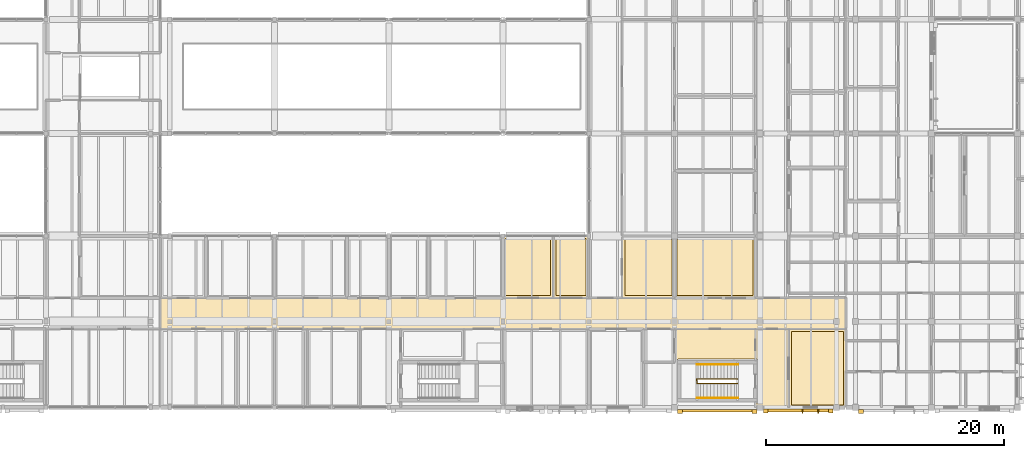
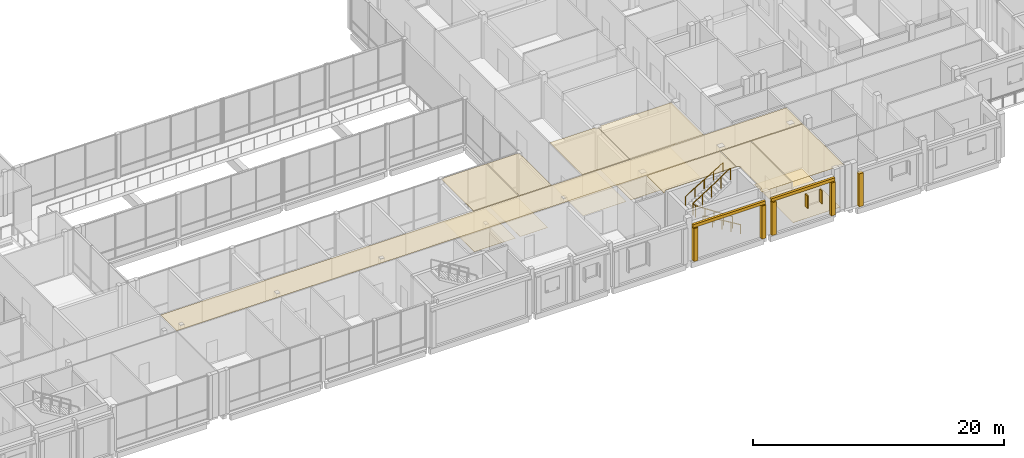
# One storey, part 139 of 146: 20 coverings, 3 railings, 2 shading devices.
"""IFC4 building model written with IfcOpenShell, lengths in metres."""

from ifc_helpers import new_model, si_unit, direction, frame, origin, origin_2d, place, context, subcontext, project, spatial, polyline, rectangle, circle, outline, extrude, material, layer, layer_set, type_object, element, save


model = new_model("IFC4")

# Units and contexts
model_context = context("Model", 3, precision=1e-05, world=origin(), true_north=direction((0.0, 1.0)))
body_context = subcontext(model_context, "Body", "Model", "MODEL_VIEW")
ifc_project = project(units=[si_unit("LENGTHUNIT", "METRE"), si_unit("AREAUNIT", "SQUARE_METRE"), si_unit("VOLUMEUNIT", "CUBIC_METRE"), si_unit("PLANEANGLEUNIT", "RADIAN"), si_unit("MASSUNIT", "GRAM", prefix="KILO")], contexts=[model_context])

# Site, building, storey
site_placement = place(None, origin())
site = spatial("IfcSite", under=ifc_project, at=site_placement, CompositionType="ELEMENT")
building_placement = place(site_placement, origin())
building = spatial("IfcBuilding", under=site, at=building_placement, Name="Hawrajan Terrace Health Centre", CompositionType="ELEMENT")
storey_placement = place(building_placement, frame((0.0, 0.0, 4.5)))
storey = spatial("IfcBuildingStorey", under=building, at=storey_placement, Name="L01", CompositionType="ELEMENT", Elevation=4.5)

# Coverings
ifc_material_1 = material(Name="Precast concrete C40/50", Category="concrete")
ifc_layer_1 = layer(ifc_material_1, 0.219970703125)
ifc_layer_set_1 = layer_set([ifc_layer_1], Name="Precast concrete C40/50")
covering_type_1 = type_object("IfcCoveringType", Name="ArtDecoCorniceBand", PredefinedType="CLADDING", material=ifc_layer_set_1)
covering_1_placement = place(storey_placement, frame((118.60009765625, 3.929931640625, 3.2099609375), z_axis=(0.0, 0.0, 1.0), x_axis=(1.0, 0.0, 0.0)))
element("IfcCovering", 1, at=covering_1_placement, inside=storey, type_object=covering_type_1, Name="Art Deco limestone cornice band CRN-L01-0084", PredefinedType="CLADDING", context=body_context, shape_type="SweptSolid", body=[
    extrude(rectangle(XDim=6.659912109375, YDim=0.219970703125, at=origin_2d()), origin(), (0.0, 0.0, 1.0), 0.300048828125),
])
covering_2_placement = place(storey_placement, frame((125.39990234375, 3.93994140625, 3.2099609375), z_axis=(0.0, 0.0, 1.0), x_axis=(1.0, 0.0, 0.0)))
element("IfcCovering", 2, at=covering_2_placement, inside=storey, type_object=covering_type_1, Name="Art Deco limestone cornice band CRN-L01-0088", PredefinedType="CLADDING", context=body_context, shape_type="SweptSolid", body=[
    extrude(rectangle(XDim=5.860107421875, YDim=0.219970703125, at=origin_2d()), origin(), (0.0, 0.0, 1.0), 0.300048828125),
])
ifc_layer_2 = layer(ifc_material_1, 0.340087890625)
ifc_layer_set_2 = layer_set([ifc_layer_2], Name="Precast concrete C40/50")
covering_type_2 = type_object("IfcCoveringType", Name="ArtDecoStonePilaster", PredefinedType="CLADDING", material=ifc_layer_set_2)
for number, where, z_axis, x_axis, name in (
    (3, (115.469970703125, 3.8701171875, 0.0), (0.0, 0.0, 1.0), (1.0, 0.0, 0.0), "Art Deco fluted limestone pilaster FPIL-L01-0146"),
    (4, (121.72998046875, 3.8701171875, 0.0), (0.0, 0.0, 1.0), (1.0, 0.0, 0.0), "Art Deco fluted limestone pilaster FPIL-L01-0147"),
    (5, (122.669921875, 3.8798828125, 0.0), (0.0, 0.0, 1.0), (1.0, 0.0, 0.0), "Art Deco fluted limestone pilaster FPIL-L01-0154"),
    (6, (128.1298828125, 3.8798828125, 0.0), (0.0, 0.0, 1.0), (1.0, 0.0, 0.0), "Art Deco fluted limestone pilaster FPIL-L01-0155"),
    (7, (130.669921875, 3.8701171875, 0.0), (0.0, 0.0, 1.0), (1.0, 0.0, 0.0), "Art Deco fluted limestone pilaster FPIL-L01-0158"),
):
    element("IfcCovering", number, at=place(storey_placement, frame(where, z_axis=z_axis, x_axis=x_axis)), inside=storey, type_object=covering_type_2, Name=name, PredefinedType="CLADDING", context=body_context, shape_type="SweptSolid", body=[
        extrude(rectangle(XDim=0.39990234375, YDim=0.340087890625, at=origin_2d()), origin(), (0.0, 0.0, 1.0), 3.199951171875),
    ])
ifc_material_2 = material(Name="Hygienic mineral-fibre acoustic tile ceiling")
ifc_layer_3 = layer(ifc_material_2, 0.02490234375)
ifc_layer_set_3 = layer_set([ifc_layer_3], Name="Hygienic mineral-fibre acoustic tile ceiling")
covering_type_3 = type_object("IfcCoveringType", Name="ClinicalAcousticCeiling_25", PredefinedType="CEILING", material=ifc_layer_set_3)
covering_3_placement = place(storey_placement, frame((0.0, 0.0, 4.155029296875)))
element("IfcCovering", 8, at=covering_3_placement, inside=storey, type_object=covering_type_3, Name="Suspended ceiling L01-030", PredefinedType="CEILING", context=body_context, shape_type="SweptSolid", body=[
    extrude(outline(polyline([(71.824951171875, 13.3798828125), (129.375, 13.3798828125), (129.375, 10.820068359375), (71.824951171875, 10.820068359375), (71.824951171875, 13.3798828125)])), origin(), (0.0, 0.0, 1.0), 0.02490234375),
])
covering_4_placement = place(storey_placement, frame((0.0, 0.0, 4.155029296875)))
element("IfcCovering", 9, at=covering_4_placement, inside=storey, type_object=covering_type_3, Name="Suspended ceiling L01-032", PredefinedType="CEILING", context=body_context, shape_type="SweptSolid", body=[
    extrude(outline(polyline([(121.820068359375, 10.780029296875), (124.580078125, 10.780029296875), (124.580078125, 4.219970703125), (121.820068359375, 4.219970703125), (121.820068359375, 4.531005859375), (121.825439453125, 4.53125), (121.827392578125, 4.531494140625), (121.851806640625, 4.534912109375), (121.853515625, 4.535400390625), (121.87744140625, 4.54150390625), (121.87939453125, 4.5419921875), (121.90234375, 4.55029296875), (121.904296875, 4.551025390625), (121.926513671875, 4.561279296875), (121.927978515625, 4.5625), (121.94921875, 4.574951171875), (121.95068359375, 4.576171875), (121.970458984375, 4.5908203125), (121.971923828125, 4.591796875), (121.990234375, 4.6083984375), (121.99169921875, 4.60986328125), (122.008056640625, 4.6279296875), (122.00927734375, 4.62939453125), (122.02392578125, 4.649169921875), (122.02490234375, 4.65087890625), (122.03759765625, 4.671875), (122.03857421875, 4.673583984375), (122.049072265625, 4.69580078125), (122.0498046875, 4.697509765625), (122.05810546875, 4.720703125), (122.05859375, 4.72265625), (122.064697265625, 4.746337890625), (122.06494140625, 4.748291015625), (122.068603515625, 4.772705078125), (122.06884765625, 4.7744140625), (122.070068359375, 4.799072265625), (122.070068359375, 4.800048828125), (122.070068359375, 8.0), (122.070068359375, 8.0009765625), (122.06884765625, 8.025390625), (122.068603515625, 8.02734375), (122.06494140625, 8.0517578125), (122.064697265625, 8.0537109375), (122.05859375, 8.077392578125), (122.05810546875, 8.079345703125), (122.0498046875, 8.102294921875), (122.049072265625, 8.104248046875), (122.03857421875, 8.12646484375), (122.03759765625, 8.128173828125), (122.02490234375, 8.149169921875), (122.02392578125, 8.15087890625), (122.00927734375, 8.17041015625), (122.008056640625, 8.172119140625), (121.99169921875, 8.190185546875), (121.990234375, 8.191650390625), (121.971923828125, 8.2080078125), (121.970458984375, 8.209228515625), (121.95068359375, 8.223876953125), (121.94921875, 8.22509765625), (121.927978515625, 8.237548828125), (121.926513671875, 8.238525390625), (121.904296875, 8.2490234375), (121.90234375, 8.249755859375), (121.87939453125, 8.258056640625), (121.87744140625, 8.258544921875), (121.853515625, 8.2646484375), (121.851806640625, 8.264892578125), (121.827392578125, 8.2685546875), (121.825439453125, 8.268798828125), (121.820068359375, 8.26904296875), (121.820068359375, 10.780029296875)])), origin(), (0.0, 0.0, 1.0), 0.02490234375),
])
covering_5_placement = place(storey_placement, frame((0.0, 0.0, 4.155029296875)))
element("IfcCovering", 10, at=covering_5_placement, inside=storey, type_object=covering_type_3, Name="Suspended ceiling L01-035", PredefinedType="CEILING", context=body_context, shape_type="SweptSolid", body=[
    extrude(outline(polyline([(115.02001953125, 8.02001953125), (115.02001953125, 10.780029296875), (121.780029296875, 10.780029296875), (121.780029296875, 8.27001953125), (115.39990234375, 8.27001953125), (115.39892578125, 8.27001953125), (115.37451171875, 8.268798828125), (115.37255859375, 8.2685546875), (115.348388671875, 8.264892578125), (115.346435546875, 8.2646484375), (115.322509765625, 8.258544921875), (115.32080078125, 8.258056640625), (115.297607421875, 8.249755859375), (115.2958984375, 8.2490234375), (115.273681640625, 8.238525390625), (115.27197265625, 8.237548828125), (115.250732421875, 8.22509765625), (115.249267578125, 8.223876953125), (115.2294921875, 8.209228515625), (115.22802734375, 8.2080078125), (115.209716796875, 8.191650390625), (115.20849609375, 8.190185546875), (115.19189453125, 8.172119140625), (115.190673828125, 8.17041015625), (115.176025390625, 8.15087890625), (115.175048828125, 8.149169921875), (115.162353515625, 8.128173828125), (115.161376953125, 8.12646484375), (115.15087890625, 8.104248046875), (115.150146484375, 8.102294921875), (115.141845703125, 8.079345703125), (115.141357421875, 8.077392578125), (115.135498046875, 8.0537109375), (115.135009765625, 8.0517578125), (115.13134765625, 8.02734375), (115.131103515625, 8.025390625), (115.131103515625, 8.02001953125), (115.02001953125, 8.02001953125)])), origin(), (0.0, 0.0, 1.0), 0.02490234375),
])
covering_6_placement = place(storey_placement, frame((0.0, 0.0, 4.155029296875)))
element("IfcCovering", 11, at=covering_6_placement, inside=storey, type_object=covering_type_3, Name="Suspended ceiling L01-124", PredefinedType="CEILING", context=body_context, shape_type="SweptSolid", body=[
    extrude(outline(polyline([(100.6201171875, 18.580078125), (104.7919921875, 18.580078125), (104.7919921875, 13.419921875), (100.6201171875, 13.419921875), (100.6201171875, 18.580078125)])), origin(), (0.0, 0.0, 1.0), 0.02490234375),
])
covering_7_placement = place(storey_placement, frame((0.0, 0.0, 4.155029296875)))
element("IfcCovering", 12, at=covering_7_placement, inside=storey, type_object=covering_type_3, Name="Suspended ceiling L01-125", PredefinedType="CEILING", context=body_context, shape_type="SweptSolid", body=[
    extrude(outline(polyline([(104.83203125, 18.580078125), (107.780029296875, 18.580078125), (107.780029296875, 13.419921875), (104.83203125, 13.419921875), (104.83203125, 18.580078125)])), origin(), (0.0, 0.0, 1.0), 0.02490234375),
])
covering_8_placement = place(storey_placement, frame((0.0, 0.0, 4.155029296875)))
element("IfcCovering", 13, at=covering_8_placement, inside=storey, type_object=covering_type_3, Name="Suspended ceiling L01-127", PredefinedType="CEILING", context=body_context, shape_type="SweptSolid", body=[
    extrude(outline(polyline([(110.6201171875, 18.580078125), (114.97998046875, 18.580078125), (114.97998046875, 13.419921875), (110.6201171875, 13.419921875), (110.6201171875, 18.580078125)])), origin(), (0.0, 0.0, 1.0), 0.02490234375),
])
covering_9_placement = place(storey_placement, frame((0.0, 0.0, 4.155029296875)))
element("IfcCovering", 14, at=covering_9_placement, inside=storey, type_object=covering_type_3, Name="Suspended ceiling L01-141", PredefinedType="CEILING", context=body_context, shape_type="SweptSolid", body=[
    extrude(outline(polyline([(115.02001953125, 18.580078125), (121.780029296875, 18.580078125), (121.780029296875, 13.419921875), (115.02001953125, 13.419921875), (115.02001953125, 18.580078125)])), origin(), (0.0, 0.0, 1.0), 0.02490234375),
])
covering_10_placement = place(storey_placement, frame((0.0, 0.0, 4.155029296875)))
element("IfcCovering", 15, at=covering_10_placement, inside=storey, type_object=covering_type_3, Name="Suspended ceiling L01-150", PredefinedType="CEILING", context=body_context, shape_type="SweptSolid", body=[
    extrude(outline(polyline([(124.6201171875, 10.780029296875), (129.375, 10.780029296875), (129.375, 4.219970703125), (124.6201171875, 4.219970703125), (124.6201171875, 10.780029296875)])), origin(), (0.0, 0.0, 1.0), 0.02490234375),
])
ifc_material_3 = material(Name="Seamless medical-grade cushioned vinyl flooring")
ifc_layer_4 = layer(ifc_material_3, 0.011962890625)
ifc_layer_set_4 = layer_set([ifc_layer_4], Name="Seamless medical-grade cushioned vinyl flooring")
covering_type_4 = type_object("IfcCoveringType", Name="ClinicalVinylFlooring_12", PredefinedType="FLOORING", material=ifc_layer_set_4)
covering_11_placement = place(storey_placement, origin())
element("IfcCovering", 16, at=covering_11_placement, inside=storey, type_object=covering_type_4, Name="Floor finish L01-124", PredefinedType="FLOORING", context=body_context, shape_type="SweptSolid", body=[
    extrude(outline(polyline([(100.820068359375, 18.3798828125), (104.592041015625, 18.3798828125), (104.592041015625, 13.6201171875), (100.820068359375, 13.6201171875), (100.820068359375, 18.3798828125)])), origin(), (0.0, 0.0, 1.0), 0.011962890625),
])
covering_12_placement = place(storey_placement, origin())
element("IfcCovering", 17, at=covering_12_placement, inside=storey, type_object=covering_type_4, Name="Floor finish L01-125", PredefinedType="FLOORING", context=body_context, shape_type="SweptSolid", body=[
    extrude(outline(polyline([(105.031982421875, 18.3798828125), (107.580078125, 18.3798828125), (107.580078125, 13.6201171875), (105.031982421875, 13.6201171875), (105.031982421875, 18.3798828125)])), origin(), (0.0, 0.0, 1.0), 0.011962890625),
])
covering_13_placement = place(storey_placement, origin())
element("IfcCovering", 18, at=covering_13_placement, inside=storey, type_object=covering_type_4, Name="Floor finish L01-127", PredefinedType="FLOORING", context=body_context, shape_type="SweptSolid", body=[
    extrude(outline(polyline([(110.820068359375, 18.3798828125), (114.780029296875, 18.3798828125), (114.780029296875, 13.6201171875), (110.820068359375, 13.6201171875), (110.820068359375, 18.3798828125)])), origin(), (0.0, 0.0, 1.0), 0.011962890625),
])
covering_14_placement = place(storey_placement, origin())
element("IfcCovering", 19, at=covering_14_placement, inside=storey, type_object=covering_type_4, Name="Floor finish L01-141", PredefinedType="FLOORING", context=body_context, shape_type="SweptSolid", body=[
    extrude(outline(polyline([(115.219970703125, 18.3798828125), (121.580078125, 18.3798828125), (121.580078125, 13.6201171875), (115.219970703125, 13.6201171875), (115.219970703125, 18.3798828125)])), origin(), (0.0, 0.0, 1.0), 0.011962890625),
])
covering_15_placement = place(storey_placement, origin())
element("IfcCovering", 20, at=covering_15_placement, inside=storey, type_object=covering_type_4, Name="Floor finish L01-150", PredefinedType="FLOORING", context=body_context, shape_type="SweptSolid", body=[
    extrude(outline(polyline([(124.820068359375, 10.580078125), (129.175048828125, 10.580078125), (129.175048828125, 4.419921875), (124.820068359375, 4.419921875), (124.820068359375, 10.580078125)])), origin(), (0.0, 0.0, 1.0), 0.011962890625),
])

# Shading devices
ifc_material_4 = material(Name="Anodized bronze mashrabiya vertical solar fin")
ifc_layer_5 = layer(ifc_material_4, 0.080078125)
ifc_layer_set_5 = layer_set([ifc_layer_5], Name="Anodized bronze mashrabiya vertical solar fin")
shading_device_type = type_object("IfcShadingDeviceType", Name="MashrabiyaVerticalFin", PredefinedType="USERDEFINED", material=ifc_layer_set_5)
for number, where, z_axis, x_axis, name in (
    (21, (125.75, 3.8701171875, 1.5), (0.0, 0.0, 1.0), (1.0, 0.0, 0.0), "Bronze mashrabiya solar fin FIN-L01-0104"),
    (22, (127.080078125, 3.8701171875, 1.5), (0.0, 0.0, 1.0), (1.0, 0.0, 0.0), "Bronze mashrabiya solar fin FIN-L01-0105"),
):
    element("IfcShadingDevice", number, at=place(storey_placement, frame(where, z_axis=z_axis, x_axis=x_axis)), inside=storey, type_object=shading_device_type, Name=name, ObjectType="SOLAR_FIN", PredefinedType="USERDEFINED", context=body_context, shape_type="SweptSolid", body=[
        extrude(rectangle(XDim=0.080078125, YDim=0.360107421875, at=origin_2d()), origin(), (0.0, 0.0, 1.0), 1.25),
    ])

# Railings
ifc_material_5 = material(Name="Brushed stainless steel tubular handrail", Category="steel")
railing_type_1 = type_object("IfcRailingType", Name="StairHandrail_900", PredefinedType="HANDRAIL", material=ifc_material_5)
railing_1_placement = place(storey_placement, frame((120.324951171875, 5.0, 0.173095703125)))
element("IfcRailing", 23, at=railing_1_placement, inside=storey, type_object=railing_type_1, Name="Stair handrail ST-6-L01-H1", PredefinedType="HANDRAIL", context=body_context, shape_type="SweptSolid", body=[
    extrude(circle(Radius=0.02392578125, at=origin_2d()), frame((-0.024658203125, 0.0, 0.890625), z_axis=(-0.856732359591, 0.0, 0.515761247119), x_axis=(0.0, -1.0, 0.0)), (0.0, 0.0, 1.0), 3.96923828125),
    extrude(circle(Radius=0.02099609375, at=origin_2d()), origin(), (0.0, 0.0, 1.0), 0.846923828125),
    extrude(circle(Radius=0.02099609375, at=origin_2d()), frame((-0.862548828125, 0.0, 0.519287109375)), (0.0, 0.0, 1.0), 0.846923828125),
    extrude(circle(Radius=0.02099609375, at=origin_2d()), frame((-1.72509765625, 0.0, 1.03857421875)), (0.0, 0.0, 1.0), 0.846923828125),
    extrude(circle(Radius=0.02099609375, at=origin_2d()), frame((-2.58740234375, 0.0, 1.5576171875)), (0.0, 0.0, 1.0), 0.846923828125),
    extrude(circle(Radius=0.02099609375, at=origin_2d()), frame((-3.449951171875, 0.0, 2.076904296875)), (0.0, 0.0, 1.0), 0.846923828125),
])
railing_2_placement = place(storey_placement, frame((116.875, 7.800048828125, 2.423095703125)))
element("IfcRailing", 24, at=railing_2_placement, inside=storey, type_object=railing_type_1, Name="Stair handrail ST-6-L01-H2", PredefinedType="HANDRAIL", context=body_context, shape_type="SweptSolid", body=[
    extrude(circle(Radius=0.02392578125, at=origin_2d()), frame((0.024658203125, 0.0, 0.890625), z_axis=(0.856732359591, 0.0, 0.515761247119), x_axis=(0.0, 1.0, 0.0)), (0.0, 0.0, 1.0), 3.96923828125),
    extrude(circle(Radius=0.02099609375, at=origin_2d()), origin(), (0.0, 0.0, 1.0), 0.846923828125),
    extrude(circle(Radius=0.02099609375, at=origin_2d()), frame((0.862548828125, 0.0, 0.519287109375)), (0.0, 0.0, 1.0), 0.846923828125),
    extrude(circle(Radius=0.02099609375, at=origin_2d()), frame((1.72509765625, 0.0, 1.03857421875)), (0.0, 0.0, 1.0), 0.846923828125),
    extrude(circle(Radius=0.02099609375, at=origin_2d()), frame((2.58740234375, 0.0, 1.5576171875)), (0.0, 0.0, 1.0), 0.846923828125),
    extrude(circle(Radius=0.02099609375, at=origin_2d()), frame((3.449951171875, 0.0, 2.076904296875)), (0.0, 0.0, 1.0), 0.846923828125),
])
ifc_material_6 = material(Name="Painted steel stair well guard", Category="steel")
railing_type_2 = type_object("IfcRailingType", Name="StairWellGuard_1120", PredefinedType="GUARDRAIL", material=ifc_material_6)
railing_3_placement = place(storey_placement, frame((120.300048828125, 6.219970703125, 0.0)))
element("IfcRailing", 25, at=railing_3_placement, inside=storey, type_object=railing_type_2, Name="Stair well guard ST-6-L01-G1", PredefinedType="GUARDRAIL", context=body_context, shape_type="SweptSolid", body=[
    extrude(circle(Radius=0.02392578125, at=origin_2d()), frame((-0.024169921875, 0.0, 1.112060546875), z_axis=(-0.833943147616, 0.0, 0.551850366082), x_axis=(0.0, -1.0, 0.0)), (0.0, 0.0, 1.0), 4.01953125),
    extrude(circle(Radius=0.02392578125, at=origin_2d()), frame((-3.404052734375, 0.028564453125, 3.34619140625), z_axis=(-0.137000993654, 0.99057091, 0.0), x_axis=(-0.99057091, -0.137000993654, 0.0)), (0.0, 0.0, 1.0), 0.305908203125),
    extrude(circle(Radius=0.02392578125, at=origin_2d()), frame((-3.42578125, 0.360107421875, 3.36181640625), z_axis=(0.837607059222, 0.0, 0.546273204854), x_axis=(0.0, 1.0, 0.0)), (0.0, 0.0, 1.0), 4.06103515625),
    extrude(circle(Radius=0.02099609375, at=origin_2d()), origin(), (0.0, 0.0, 1.0), 1.067138671875),
    extrude(circle(Radius=0.02099609375, at=origin_2d()), frame((-0.85009765625, 0.0, 0.5625)), (0.0, 0.0, 1.0), 1.067138671875),
    extrude(circle(Radius=0.02099609375, at=origin_2d()), frame((-1.7001953125, 0.0, 1.125)), (0.0, 0.0, 1.0), 1.067138671875),
    extrude(circle(Radius=0.02099609375, at=origin_2d()), frame((-2.550048828125, 0.0, 1.6875)), (0.0, 0.0, 1.0), 1.067138671875),
    extrude(circle(Radius=0.02099609375, at=origin_2d()), frame((-3.400146484375, 0.0, 2.25)), (0.0, 0.0, 1.0), 1.067138671875),
    extrude(circle(Radius=0.02099609375, at=origin_2d()), frame((-3.449951171875, 0.360107421875, 2.25)), (0.0, 0.0, 1.0), 1.067138671875),
    extrude(circle(Radius=0.02099609375, at=origin_2d()), frame((-2.58740234375, 0.360107421875, 2.8125)), (0.0, 0.0, 1.0), 1.067138671875),
    extrude(circle(Radius=0.02099609375, at=origin_2d()), frame((-1.72509765625, 0.360107421875, 3.375)), (0.0, 0.0, 1.0), 1.067138671875),
    extrude(circle(Radius=0.02099609375, at=origin_2d()), frame((-0.862548828125, 0.360107421875, 3.9375)), (0.0, 0.0, 1.0), 1.067138671875),
    extrude(circle(Radius=0.02099609375, at=origin_2d()), frame((0.0, 0.360107421875, 4.5)), (0.0, 0.0, 1.0), 1.067138671875),
])

save(model, "model.ifc")
